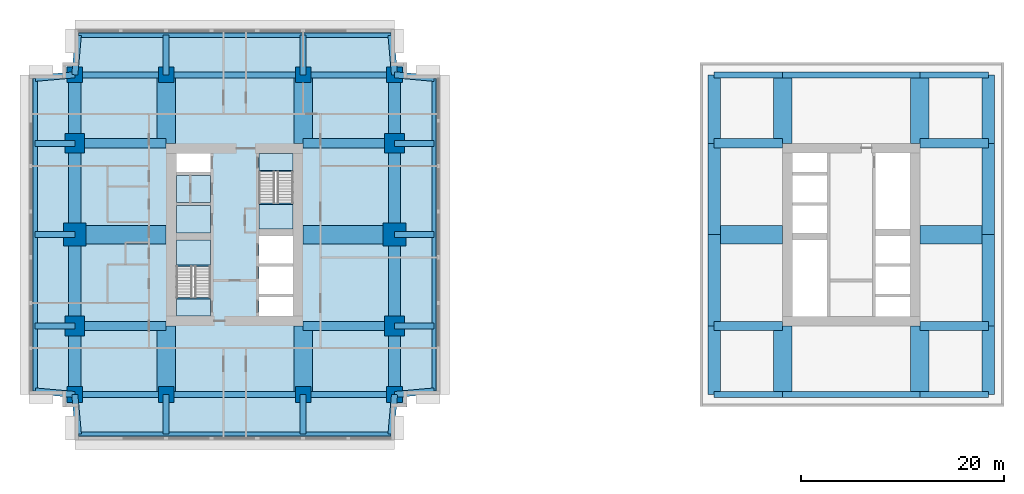
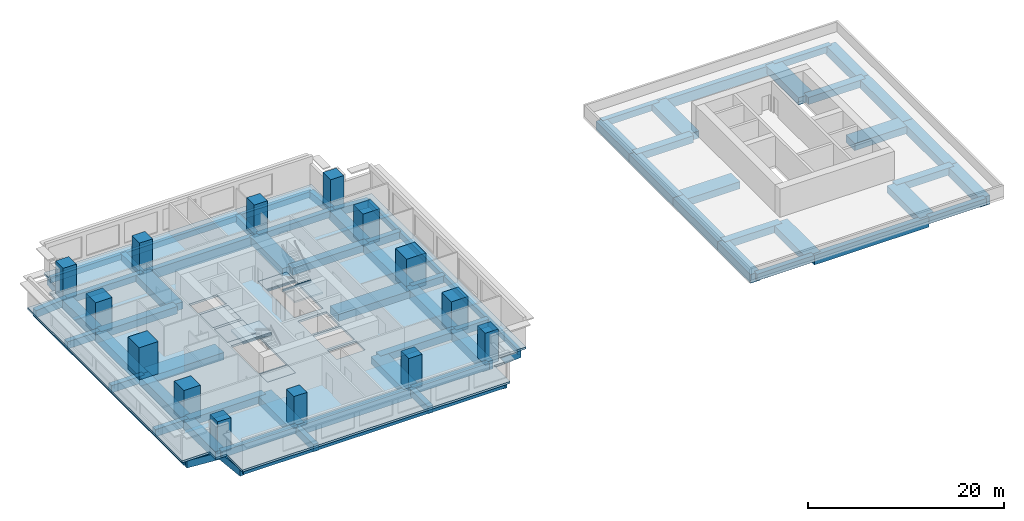
# One storey, part 1 of 7: 74 beams, 14 columns, 7 slabs, 2 elements without a shape of their own.
"""IFC4 building model written with IfcOpenShell, lengths in metres."""

from ifc_helpers import new_model, si_unit, direction, frame, origin, origin_2d, place, context, subcontext, project, spatial, polyline, rectangle, i_section, outline, extrude, material, layer, layer_set, material_profile, profile_set, type_object, element, aggregate, save


model = new_model("IFC4")

# Units and contexts
model_context = context("Model", 3, precision=1e-05, world=origin(), true_north=direction((0.0, 1.0)))
body_context = subcontext(model_context, "Body", "Model", "MODEL_VIEW")
ifc_project = project(units=[si_unit("LENGTHUNIT", "METRE"), si_unit("AREAUNIT", "SQUARE_METRE"), si_unit("VOLUMEUNIT", "CUBIC_METRE"), si_unit("PLANEANGLEUNIT", "RADIAN"), si_unit("MASSUNIT", "GRAM", prefix="KILO")], contexts=[model_context])

# Site, building, storey
site_placement = place(None, origin())
site = spatial("IfcSite", under=ifc_project, at=site_placement, CompositionType="ELEMENT")
building_placement = place(site_placement, origin())
building = spatial("IfcBuilding", under=site, at=building_placement, Name="Namib Vertical Campus", CompositionType="ELEMENT")
storey_placement = place(building_placement, frame((0.0, 0.0, 237.0)))
storey = spatial("IfcBuildingStorey", under=building, at=storey_placement, Name="L56", CompositionType="ELEMENT", Elevation=237.0)

# Columns
ifc_material_1 = material(Name="Concrete C60/75", Category="concrete")
ifc_material_profile_1 = material_profile(ifc_material_1, rectangle(XDim=1.550048828125, YDim=1.550048828125, at=origin_2d()))
ifc_profile_set_1 = profile_set([ifc_material_profile_1], Name="Concrete C60/75")
column_type_1 = type_object("IfcColumnType", Name="Column RC 1550x1550", PredefinedType="COLUMN", material=ifc_profile_set_1)
for number, where, z_axis, x_axis, name in (
    (1, (4.5, 4.5, 0.0), (0.0, 0.0, 1.0), (1.0, 0.0, 0.0), "Column C155 L56"),
    (2, (13.5, 4.5, 0.0), (0.0, 0.0, 1.0), (1.0, 0.0, 0.0), "Column C155 L56"),
    (3, (27.0, 4.5, 0.0), (0.0, 0.0, 1.0), (1.0, 0.0, 0.0), "Column C155 L56"),
    (4, (36.0, 4.5, 0.0), (0.0, 0.0, 1.0), (1.0, 0.0, 0.0), "Column C155 L56"),
    (5, (4.5, 36.0, 0.0), (0.0, 0.0, 1.0), (1.0, 0.0, 0.0), "Column C155 L56"),
    (6, (13.5, 36.0, 0.0), (0.0, 0.0, 1.0), (1.0, 0.0, 0.0), "Column C155 L56"),
    (7, (27.0, 36.0, 0.0), (0.0, 0.0, 1.0), (1.0, 0.0, 0.0), "Column C155 L56"),
    (8, (36.0, 36.0, 0.0), (0.0, 0.0, 1.0), (1.0, 0.0, 0.0), "Column C155 L56"),
):
    element("IfcColumn", number, at=place(storey_placement, frame(where, z_axis=z_axis, x_axis=x_axis)), inside=storey, type_object=column_type_1, Name=name, PredefinedType="COLUMN", context=body_context, shape_type="SweptSolid", body=[
        extrude(rectangle(XDim=1.550048828125, YDim=1.550048828125, at=origin_2d()), origin(), (0.0, 0.0, 1.0), 4.0),
    ])
ifc_material_2 = material(Name="Concrete C60/75", Category="concrete")
ifc_material_profile_2 = material_profile(ifc_material_2, rectangle(XDim=1.949951171875, YDim=1.949951171875, at=origin_2d()))
ifc_profile_set_2 = profile_set([ifc_material_profile_2], Name="Concrete C60/75")
column_type_2 = type_object("IfcColumnType", Name="Column RC 1950x1950", PredefinedType="COLUMN", material=ifc_profile_set_2)
for number, where, z_axis, x_axis, name in (
    (9, (4.5, 11.25, 0.0), (0.0, 0.0, 1.0), (1.0, 0.0, 0.0), "Column C195 L56"),
    (10, (36.0, 11.25, 0.0), (0.0, 0.0, 1.0), (1.0, 0.0, 0.0), "Column C195 L56"),
    (11, (4.5, 29.25, 0.0), (0.0, 0.0, 1.0), (1.0, 0.0, 0.0), "Column C195 L56"),
    (12, (36.0, 29.25, 0.0), (0.0, 0.0, 1.0), (1.0, 0.0, 0.0), "Column C195 L56"),
):
    element("IfcColumn", number, at=place(storey_placement, frame(where, z_axis=z_axis, x_axis=x_axis)), inside=storey, type_object=column_type_2, Name=name, PredefinedType="COLUMN", context=body_context, shape_type="SweptSolid", body=[
        extrude(rectangle(XDim=1.949951171875, YDim=1.949951171875, at=origin_2d()), origin(), (0.0, 0.0, 1.0), 4.0),
    ])
ifc_material_3 = material(Name="Concrete C60/75", Category="concrete")
ifc_material_profile_3 = material_profile(ifc_material_3, rectangle(XDim=2.25, YDim=2.25, at=origin_2d()))
ifc_profile_set_3 = profile_set([ifc_material_profile_3], Name="Concrete C60/75")
column_type_3 = type_object("IfcColumnType", Name="Column RC 2250x2250", PredefinedType="COLUMN", material=ifc_profile_set_3)
for number, where, z_axis, x_axis, name in (
    (13, (4.5, 20.25, 0.0), (0.0, 0.0, 1.0), (1.0, 0.0, 0.0), "Column C225 L56"),
    (14, (36.0, 20.25, 0.0), (0.0, 0.0, 1.0), (1.0, 0.0, 0.0), "Column C225 L56"),
):
    element("IfcColumn", number, at=place(storey_placement, frame(where, z_axis=z_axis, x_axis=x_axis)), inside=storey, type_object=column_type_3, Name=name, PredefinedType="COLUMN", context=body_context, shape_type="SweptSolid", body=[
        extrude(rectangle(XDim=2.25, YDim=2.25, at=origin_2d()), origin(), (0.0, 0.0, 1.0), 4.0),
    ])

# Beams
ifc_material_4 = material(Name="Concrete C40/50", Category="concrete")
ifc_material_profile_4 = material_profile(ifc_material_4, rectangle(XDim=0.60009765625, YDim=0.89990234375, at=origin_2d()))
ifc_profile_set_4 = profile_set([ifc_material_profile_4], Name="Concrete C40/50")
beam_type_1 = type_object("IfcBeamType", Name="Cantilever girder RC 600x900", PredefinedType="BEAM", material=ifc_profile_set_4)
beam_1_placement = place(storey_placement, frame((4.5, 4.5, -0.699951171875), z_axis=(0.089411326146, -0.995994786511, 0.0), x_axis=(0.995994786511, 0.089411326146, 0.0)))
element("IfcBeam", 15, at=beam_1_placement, inside=storey, type_object=beam_type_1, Name="Beam B3 L56", PredefinedType="BEAM", context=body_context, shape_type="SweptSolid", body=[
    extrude(rectangle(XDim=0.60009765625, YDim=0.89990234375, at=origin_2d()), origin(), (0.0, 0.0, 1.0), 3.91552734375),
])
for number, where, z_axis, x_axis, name in (
    (16, (13.5, 4.5, -0.699951171875), (0.0, -1.0, 0.0), (1.0, 0.0, 0.0), "Beam B3 L56"),
    (17, (27.0, 4.5, -0.699951171875), (0.0, -1.0, 0.0), (1.0, 0.0, 0.0), "Beam B3 L56"),
):
    element("IfcBeam", number, at=place(storey_placement, frame(where, z_axis=z_axis, x_axis=x_axis)), inside=storey, type_object=beam_type_1, Name=name, PredefinedType="BEAM", context=body_context, shape_type="SweptSolid", body=[
        extrude(rectangle(XDim=0.60009765625, YDim=0.89990234375, at=origin_2d()), origin(), (0.0, 0.0, 1.0), 3.89990234375),
    ])
for number, where, z_axis, x_axis, name in (
    (18, (36.0, 4.5, -0.699951171875), (-0.089411326146, -0.995994786511, 0.0), (0.995994786511, -0.089411326146, 0.0), "Beam B3 L56"),
    (19, (4.5, 36.0, -0.699951171875), (0.089411326146, 0.995994786511, 0.0), (-0.995994786511, 0.089411326146, 0.0), "Beam B3 L56"),
):
    element("IfcBeam", number, at=place(storey_placement, frame(where, z_axis=z_axis, x_axis=x_axis)), inside=storey, type_object=beam_type_1, Name=name, PredefinedType="BEAM", context=body_context, shape_type="SweptSolid", body=[
        extrude(rectangle(XDim=0.60009765625, YDim=0.89990234375, at=origin_2d()), origin(), (0.0, 0.0, 1.0), 3.91552734375),
    ])
for number, where, z_axis, x_axis, name in (
    (20, (13.5, 36.0, -0.699951171875), (0.0, 1.0, 0.0), (-1.0, 0.0, 0.0), "Beam B3 L56"),
    (21, (27.0, 36.0, -0.699951171875), (0.0, 1.0, 0.0), (-1.0, 0.0, 0.0), "Beam B3 L56"),
):
    element("IfcBeam", number, at=place(storey_placement, frame(where, z_axis=z_axis, x_axis=x_axis)), inside=storey, type_object=beam_type_1, Name=name, PredefinedType="BEAM", context=body_context, shape_type="SweptSolid", body=[
        extrude(rectangle(XDim=0.60009765625, YDim=0.89990234375, at=origin_2d()), origin(), (0.0, 0.0, 1.0), 3.89990234375),
    ])
for number, where, z_axis, x_axis, name in (
    (22, (36.0, 36.0, -0.699951171875), (-0.089411326146, 0.995994786511, 0.0), (-0.995994786511, -0.089411326146, 0.0), "Beam B3 L56"),
    (23, (4.5, 4.5, -0.699951171875), (-0.995994786511, 0.089411326146, 0.0), (-0.089411326146, -0.995994786511, 0.0), "Beam B3 L56"),
):
    element("IfcBeam", number, at=place(storey_placement, frame(where, z_axis=z_axis, x_axis=x_axis)), inside=storey, type_object=beam_type_1, Name=name, PredefinedType="BEAM", context=body_context, shape_type="SweptSolid", body=[
        extrude(rectangle(XDim=0.60009765625, YDim=0.89990234375, at=origin_2d()), origin(), (0.0, 0.0, 1.0), 3.91552734375),
    ])
for number, where, z_axis, x_axis, name in (
    (24, (4.5, 11.25, -0.699951171875), (-1.0, 0.0, 0.0), (0.0, -1.0, 0.0), "Beam B3 L56"),
    (25, (4.5, 20.25, -0.699951171875), (-1.0, 0.0, 0.0), (0.0, -1.0, 0.0), "Beam B3 L56"),
    (26, (4.5, 29.25, -0.699951171875), (-1.0, 0.0, 0.0), (0.0, -1.0, 0.0), "Beam B3 L56"),
):
    element("IfcBeam", number, at=place(storey_placement, frame(where, z_axis=z_axis, x_axis=x_axis)), inside=storey, type_object=beam_type_1, Name=name, PredefinedType="BEAM", context=body_context, shape_type="SweptSolid", body=[
        extrude(rectangle(XDim=0.60009765625, YDim=0.89990234375, at=origin_2d()), origin(), (0.0, 0.0, 1.0), 3.89990234375),
    ])
for number, where, z_axis, x_axis, name in (
    (27, (4.5, 36.0, -0.699951171875), (-0.995994786511, -0.089411326146, 0.0), (0.089411326146, -0.995994786511, 0.0), "Beam B3 L56"),
    (28, (36.0, 4.5, -0.699951171875), (0.995994786511, 0.089411326146, 0.0), (-0.089411326146, 0.995994786511, 0.0), "Beam B3 L56"),
):
    element("IfcBeam", number, at=place(storey_placement, frame(where, z_axis=z_axis, x_axis=x_axis)), inside=storey, type_object=beam_type_1, Name=name, PredefinedType="BEAM", context=body_context, shape_type="SweptSolid", body=[
        extrude(rectangle(XDim=0.60009765625, YDim=0.89990234375, at=origin_2d()), origin(), (0.0, 0.0, 1.0), 3.91552734375),
    ])
for number, where, z_axis, x_axis, name in (
    (29, (36.0, 11.25, -0.699951171875), (1.0, 0.0, 0.0), (0.0, 1.0, 0.0), "Beam B3 L56"),
    (30, (36.0, 20.25, -0.699951171875), (1.0, 0.0, 0.0), (0.0, 1.0, 0.0), "Beam B3 L56"),
    (31, (36.0, 29.25, -0.699951171875), (1.0, 0.0, 0.0), (0.0, 1.0, 0.0), "Beam B3 L56"),
):
    element("IfcBeam", number, at=place(storey_placement, frame(where, z_axis=z_axis, x_axis=x_axis)), inside=storey, type_object=beam_type_1, Name=name, PredefinedType="BEAM", context=body_context, shape_type="SweptSolid", body=[
        extrude(rectangle(XDim=0.60009765625, YDim=0.89990234375, at=origin_2d()), origin(), (0.0, 0.0, 1.0), 3.89990234375),
    ])
beam_2_placement = place(storey_placement, frame((36.0, 36.0, -0.699951171875), z_axis=(0.995994786511, -0.089411326146, 0.0), x_axis=(0.089411326146, 0.995994786511, 0.0)))
element("IfcBeam", 32, at=beam_2_placement, inside=storey, type_object=beam_type_1, Name="Beam B3 L56", PredefinedType="BEAM", context=body_context, shape_type="SweptSolid", body=[
    extrude(rectangle(XDim=0.60009765625, YDim=0.89990234375, at=origin_2d()), origin(), (0.0, 0.0, 1.0), 3.91552734375),
])
ifc_material_5 = material(Name="Concrete C40/50", Category="concrete")
ifc_material_profile_5 = material_profile(ifc_material_5, rectangle(XDim=0.39990234375, YDim=0.699951171875, at=origin_2d()))
ifc_profile_set_5 = profile_set([ifc_material_profile_5], Name="Concrete C40/50")
beam_type_2 = type_object("IfcBeamType", Name="Edge beam RC 400x700", PredefinedType="SPANDREL", material=ifc_profile_set_5)
for number, where, z_axis, x_axis, name in (
    (33, (4.85009765625, 0.60009765625, -0.60009765625), (1.0, 0.0, 0.0), (0.0, 1.0, 0.0), "Beam B4 L56"),
    (34, (4.85009765625, 39.89990234375, -0.60009765625), (1.0, 0.0, 0.0), (0.0, 1.0, 0.0), "Beam B4 L56"),
    (35, (0.60009765625, 4.85009765625, -0.60009765625), (0.0, 1.0, 0.0), (-1.0, 0.0, 0.0), "Beam B4 L56"),
    (36, (39.89990234375, 4.85009765625, -0.60009765625), (0.0, 1.0, 0.0), (-1.0, 0.0, 0.0), "Beam B4 L56"),
):
    element("IfcBeam", number, at=place(storey_placement, frame(where, z_axis=z_axis, x_axis=x_axis)), inside=storey, type_object=beam_type_2, Name=name, PredefinedType="SPANDREL", context=body_context, shape_type="SweptSolid", body=[
        extrude(rectangle(XDim=0.39990234375, YDim=0.699951171875, at=origin_2d()), origin(), (0.0, 0.0, 1.0), 30.7998046875),
    ])
ifc_material_6 = material(Name="Concrete C40/50", Category="concrete")
ifc_material_profile_6 = material_profile(ifc_material_6, rectangle(XDim=0.89990234375, YDim=0.89990234375, at=origin_2d()))
ifc_profile_set_6 = profile_set([ifc_material_profile_6], Name="Concrete C40/50")
beam_type_3 = type_object("IfcBeamType", Name="Face girder RC 900x900", PredefinedType="BEAM", material=ifc_profile_set_6)
for number, where, z_axis, x_axis, name in (
    (37, (4.5, 11.25, -0.699951171875), (1.0, 0.0, 0.0), (0.0, 1.0, 0.0), "Beam B10 L56"),
    (38, (36.0, 11.25, -0.699951171875), (-1.0, 0.0, 0.0), (0.0, -1.0, 0.0), "Beam B10 L56"),
    (39, (4.5, 29.25, -0.699951171875), (1.0, 0.0, 0.0), (0.0, 1.0, 0.0), "Beam B10 L56"),
    (40, (36.0, 29.25, -0.699951171875), (-1.0, 0.0, 0.0), (0.0, -1.0, 0.0), "Beam B10 L56"),
):
    element("IfcBeam", number, at=place(storey_placement, frame(where, z_axis=z_axis, x_axis=x_axis)), inside=storey, type_object=beam_type_3, Name=name, PredefinedType="BEAM", context=body_context, shape_type="SweptSolid", body=[
        extrude(rectangle(XDim=0.89990234375, YDim=0.89990234375, at=origin_2d()), origin(), (0.0, 0.0, 1.0), 9.0),
    ])
for number, where, z_axis, x_axis, name in (
    (41, (67.5, 11.25, -0.699951171875), (1.0, 0.0, 0.0), (0.0, 1.0, 0.0), "Beam B10 L56"),
    (42, (94.5, 11.25, -0.699951171875), (-1.0, 0.0, 0.0), (0.0, -1.0, 0.0), "Beam B10 L56"),
    (43, (67.5, 29.25, -0.699951171875), (1.0, 0.0, 0.0), (0.0, 1.0, 0.0), "Beam B10 L56"),
    (44, (94.5, 29.25, -0.699951171875), (-1.0, 0.0, 0.0), (0.0, -1.0, 0.0), "Beam B10 L56"),
):
    element("IfcBeam", number, at=place(storey_placement, frame(where, z_axis=z_axis, x_axis=x_axis)), inside=storey, type_object=beam_type_3, Name=name, PredefinedType="BEAM", context=body_context, shape_type="SweptSolid", body=[
        extrude(rectangle(XDim=0.89990234375, YDim=0.89990234375, at=origin_2d()), origin(), (0.0, 0.0, 1.0), 6.75),
    ])
ifc_material_7 = material(Name="Concrete C40/50", Category="concrete")
ifc_material_profile_7 = material_profile(ifc_material_7, rectangle(XDim=1.199951171875, YDim=1.10009765625, at=origin_2d()))
ifc_profile_set_7 = profile_set([ifc_material_profile_7], Name="Concrete C40/50")
beam_type_4 = type_object("IfcBeamType", Name="Face ring beam RC 1200x1100", PredefinedType="BEAM", material=ifc_profile_set_7)
beam_3_placement = place(storey_placement, frame((4.5, 4.5, -0.800048828125), z_axis=(0.0, 1.0, 0.0), x_axis=(-1.0, 0.0, 0.0)))
element("IfcBeam", 45, at=beam_3_placement, inside=storey, type_object=beam_type_4, Name="Beam B11 L56", PredefinedType="BEAM", context=body_context, shape_type="SweptSolid", body=[
    extrude(rectangle(XDim=1.199951171875, YDim=1.10009765625, at=origin_2d()), origin(), (0.0, 0.0, 1.0), 6.75),
])
for number, where, z_axis, x_axis, name in (
    (46, (4.5, 11.25, -0.800048828125), (0.0, 1.0, 0.0), (-1.0, 0.0, 0.0), "Beam B11 L56"),
    (47, (4.5, 20.25, -0.800048828125), (0.0, 1.0, 0.0), (-1.0, 0.0, 0.0), "Beam B11 L56"),
):
    element("IfcBeam", number, at=place(storey_placement, frame(where, z_axis=z_axis, x_axis=x_axis)), inside=storey, type_object=beam_type_4, Name=name, PredefinedType="BEAM", context=body_context, shape_type="SweptSolid", body=[
        extrude(rectangle(XDim=1.199951171875, YDim=1.10009765625, at=origin_2d()), origin(), (0.0, 0.0, 1.0), 9.0),
    ])
for number, where, z_axis, x_axis, name in (
    (48, (4.5, 29.25, -0.800048828125), (0.0, 1.0, 0.0), (-1.0, 0.0, 0.0), "Beam B11 L56"),
    (49, (36.0, 4.5, -0.800048828125), (0.0, 1.0, 0.0), (-1.0, 0.0, 0.0), "Beam B11 L56"),
):
    element("IfcBeam", number, at=place(storey_placement, frame(where, z_axis=z_axis, x_axis=x_axis)), inside=storey, type_object=beam_type_4, Name=name, PredefinedType="BEAM", context=body_context, shape_type="SweptSolid", body=[
        extrude(rectangle(XDim=1.199951171875, YDim=1.10009765625, at=origin_2d()), origin(), (0.0, 0.0, 1.0), 6.75),
    ])
for number, where, z_axis, x_axis, name in (
    (50, (36.0, 11.25, -0.800048828125), (0.0, 1.0, 0.0), (-1.0, 0.0, 0.0), "Beam B11 L56"),
    (51, (36.0, 20.25, -0.800048828125), (0.0, 1.0, 0.0), (-1.0, 0.0, 0.0), "Beam B11 L56"),
):
    element("IfcBeam", number, at=place(storey_placement, frame(where, z_axis=z_axis, x_axis=x_axis)), inside=storey, type_object=beam_type_4, Name=name, PredefinedType="BEAM", context=body_context, shape_type="SweptSolid", body=[
        extrude(rectangle(XDim=1.199951171875, YDim=1.10009765625, at=origin_2d()), origin(), (0.0, 0.0, 1.0), 9.0),
    ])
for number, where, z_axis, x_axis, name in (
    (52, (36.0, 29.25, -0.800048828125), (0.0, 1.0, 0.0), (-1.0, 0.0, 0.0), "Beam B11 L56"),
    (53, (67.5, 4.5, -0.800048828125), (0.0, 1.0, 0.0), (-1.0, 0.0, 0.0), "Beam B11 L56"),
):
    element("IfcBeam", number, at=place(storey_placement, frame(where, z_axis=z_axis, x_axis=x_axis)), inside=storey, type_object=beam_type_4, Name=name, PredefinedType="BEAM", context=body_context, shape_type="SweptSolid", body=[
        extrude(rectangle(XDim=1.199951171875, YDim=1.10009765625, at=origin_2d()), origin(), (0.0, 0.0, 1.0), 6.75),
    ])
for number, where, z_axis, x_axis, name in (
    (54, (67.5, 11.25, -0.800048828125), (0.0, 1.0, 0.0), (-1.0, 0.0, 0.0), "Beam B11 L56"),
    (55, (67.5, 20.25, -0.800048828125), (0.0, 1.0, 0.0), (-1.0, 0.0, 0.0), "Beam B11 L56"),
):
    element("IfcBeam", number, at=place(storey_placement, frame(where, z_axis=z_axis, x_axis=x_axis)), inside=storey, type_object=beam_type_4, Name=name, PredefinedType="BEAM", context=body_context, shape_type="SweptSolid", body=[
        extrude(rectangle(XDim=1.199951171875, YDim=1.10009765625, at=origin_2d()), origin(), (0.0, 0.0, 1.0), 9.0),
    ])
for number, where, z_axis, x_axis, name in (
    (56, (67.5, 29.25, -0.800048828125), (0.0, 1.0, 0.0), (-1.0, 0.0, 0.0), "Beam B11 L56"),
    (57, (94.5, 4.5, -0.800048828125), (0.0, 1.0, 0.0), (-1.0, 0.0, 0.0), "Beam B11 L56"),
):
    element("IfcBeam", number, at=place(storey_placement, frame(where, z_axis=z_axis, x_axis=x_axis)), inside=storey, type_object=beam_type_4, Name=name, PredefinedType="BEAM", context=body_context, shape_type="SweptSolid", body=[
        extrude(rectangle(XDim=1.199951171875, YDim=1.10009765625, at=origin_2d()), origin(), (0.0, 0.0, 1.0), 6.75),
    ])
for number, where, z_axis, x_axis, name in (
    (58, (94.5, 11.25, -0.800048828125), (0.0, 1.0, 0.0), (-1.0, 0.0, 0.0), "Beam B11 L56"),
    (59, (94.5, 20.25, -0.800048828125), (0.0, 1.0, 0.0), (-1.0, 0.0, 0.0), "Beam B11 L56"),
):
    element("IfcBeam", number, at=place(storey_placement, frame(where, z_axis=z_axis, x_axis=x_axis)), inside=storey, type_object=beam_type_4, Name=name, PredefinedType="BEAM", context=body_context, shape_type="SweptSolid", body=[
        extrude(rectangle(XDim=1.199951171875, YDim=1.10009765625, at=origin_2d()), origin(), (0.0, 0.0, 1.0), 9.0),
    ])
beam_4_placement = place(storey_placement, frame((94.5, 29.25, -0.800048828125), z_axis=(0.0, 1.0, 0.0), x_axis=(-1.0, 0.0, 0.0)))
element("IfcBeam", 60, at=beam_4_placement, inside=storey, type_object=beam_type_4, Name="Beam B11 L56", PredefinedType="BEAM", context=body_context, shape_type="SweptSolid", body=[
    extrude(rectangle(XDim=1.199951171875, YDim=1.10009765625, at=origin_2d()), origin(), (0.0, 0.0, 1.0), 6.75),
])
ifc_material_8 = material(Name="Steel S355JR", Category="steel")
ifc_material_profile_8 = material_profile(ifc_material_8, i_section(OverallWidth=0.14599609375, OverallDepth=0.25146484375, WebThickness=0.006103515625, FlangeThickness=0.008544921875, FilletRadius=0.007568359375, at=origin_2d()))
ifc_profile_set_8 = profile_set([ifc_material_profile_8], Name="Steel S355JR")
beam_type_5 = type_object("IfcBeamType", Name="Landing trimmer UB 254x146x31", PredefinedType="BEAM", material=ifc_profile_set_8)
for number, where, z_axis, x_axis, name in (
    (61, (14.5, 13.97705078125, -0.125732421875), (1.0, 0.0, 0.0), (0.0, 1.0, 0.0), "Landing trimmer LT1 A-S1 L56 1"),
    (62, (14.5, 17.203125, 1.874267578125), (1.0, 0.0, 0.0), (0.0, 1.0, 0.0), "Landing trimmer LT1 A-S1 L56 2"),
    (63, (22.64990234375, 26.52294921875, -0.125732421875), (1.0, 0.0, 0.0), (0.0, 1.0, 0.0), "Landing trimmer LT1 A-S2 L56 1"),
    (64, (22.64990234375, 23.296875, 1.874267578125), (1.0, 0.0, 0.0), (0.0, 1.0, 0.0), "Landing trimmer LT1 A-S2 L56 2"),
):
    element("IfcBeam", number, at=place(storey_placement, frame(where, z_axis=z_axis, x_axis=x_axis)), inside=storey, type_object=beam_type_5, Name=name, PredefinedType="BEAM", context=body_context, shape_type="SweptSolid", body=[
        extrude(i_section(OverallWidth=0.14599609375, OverallDepth=0.25146484375, WebThickness=0.006103515625, FlangeThickness=0.008544921875, FilletRadius=0.007568359375, at=origin_2d()), origin(), (0.0, 0.0, 1.0), 3.35009765625),
    ])
ifc_material_9 = material(Name="Concrete C40/50", Category="concrete")
ifc_material_profile_9 = material_profile(ifc_material_9, rectangle(XDim=0.60009765625, YDim=1.199951171875, at=origin_2d()))
ifc_profile_set_9 = profile_set([ifc_material_profile_9], Name="Concrete C40/50")
beam_type_6 = type_object("IfcBeamType", Name="Long-span ring beam RC 600x1200", PredefinedType="BEAM", material=ifc_profile_set_9)
for number, where, z_axis, x_axis, name in (
    (65, (13.5, 4.5, -0.85009765625), (1.0, 0.0, 0.0), (0.0, 1.0, 0.0), "Beam B9 L56"),
    (66, (13.5, 36.0, -0.85009765625), (1.0, 0.0, 0.0), (0.0, 1.0, 0.0), "Beam B9 L56"),
    (67, (74.25, 4.5, -0.85009765625), (1.0, 0.0, 0.0), (0.0, 1.0, 0.0), "Beam B9 L56"),
    (68, (74.25, 36.0, -0.85009765625), (1.0, 0.0, 0.0), (0.0, 1.0, 0.0), "Beam B9 L56"),
):
    element("IfcBeam", number, at=place(storey_placement, frame(where, z_axis=z_axis, x_axis=x_axis)), inside=storey, type_object=beam_type_6, Name=name, PredefinedType="BEAM", context=body_context, shape_type="SweptSolid", body=[
        extrude(rectangle(XDim=0.60009765625, YDim=1.199951171875, at=origin_2d()), origin(), (0.0, 0.0, 1.0), 13.5),
    ])
ifc_material_10 = material(Name="Concrete C40/50", Category="concrete")
ifc_material_profile_10 = material_profile(ifc_material_10, rectangle(XDim=1.800048828125, YDim=0.89990234375, at=origin_2d()))
ifc_profile_set_10 = profile_set([ifc_material_profile_10], Name="Concrete C40/50")
beam_type_7 = type_object("IfcBeamType", Name="Outrigger line girder RC 1800x900", PredefinedType="BEAM", material=ifc_profile_set_10)
for number, where, z_axis, x_axis, name in (
    (69, (13.5, 4.5, -0.699951171875), (0.0, 1.0, 0.0), (-1.0, 0.0, 0.0), "Beam B12 L56"),
    (70, (13.5, 36.0, -0.699951171875), (0.0, -1.0, 0.0), (1.0, 0.0, 0.0), "Beam B12 L56"),
    (71, (27.0, 4.5, -0.699951171875), (0.0, 1.0, 0.0), (-1.0, 0.0, 0.0), "Beam B12 L56"),
    (72, (27.0, 36.0, -0.699951171875), (0.0, -1.0, 0.0), (1.0, 0.0, 0.0), "Beam B12 L56"),
):
    element("IfcBeam", number, at=place(storey_placement, frame(where, z_axis=z_axis, x_axis=x_axis)), inside=storey, type_object=beam_type_7, Name=name, PredefinedType="BEAM", context=body_context, shape_type="SweptSolid", body=[
        extrude(rectangle(XDim=1.800048828125, YDim=0.89990234375, at=origin_2d()), origin(), (0.0, 0.0, 1.0), 6.75),
    ])
for number, where, z_axis, x_axis, name in (
    (73, (4.5, 20.25, -0.699951171875), (1.0, 0.0, 0.0), (0.0, 1.0, 0.0), "Beam B12 L56"),
    (74, (36.0, 20.25, -0.699951171875), (-1.0, 0.0, 0.0), (0.0, -1.0, 0.0), "Beam B12 L56"),
):
    element("IfcBeam", number, at=place(storey_placement, frame(where, z_axis=z_axis, x_axis=x_axis)), inside=storey, type_object=beam_type_7, Name=name, PredefinedType="BEAM", context=body_context, shape_type="SweptSolid", body=[
        extrude(rectangle(XDim=1.800048828125, YDim=0.89990234375, at=origin_2d()), origin(), (0.0, 0.0, 1.0), 9.0),
    ])
for number, where, z_axis, x_axis, name in (
    (75, (74.25, 4.5, -0.699951171875), (0.0, 1.0, 0.0), (-1.0, 0.0, 0.0), "Beam B12 L56"),
    (76, (74.25, 36.0, -0.699951171875), (0.0, -1.0, 0.0), (1.0, 0.0, 0.0), "Beam B12 L56"),
    (77, (87.75, 4.5, -0.699951171875), (0.0, 1.0, 0.0), (-1.0, 0.0, 0.0), "Beam B12 L56"),
    (78, (87.75, 36.0, -0.699951171875), (0.0, -1.0, 0.0), (1.0, 0.0, 0.0), "Beam B12 L56"),
    (79, (67.5, 20.25, -0.699951171875), (1.0, 0.0, 0.0), (0.0, 1.0, 0.0), "Beam B12 L56"),
    (80, (94.5, 20.25, -0.699951171875), (-1.0, 0.0, 0.0), (0.0, -1.0, 0.0), "Beam B12 L56"),
):
    element("IfcBeam", number, at=place(storey_placement, frame(where, z_axis=z_axis, x_axis=x_axis)), inside=storey, type_object=beam_type_7, Name=name, PredefinedType="BEAM", context=body_context, shape_type="SweptSolid", body=[
        extrude(rectangle(XDim=1.800048828125, YDim=0.89990234375, at=origin_2d()), origin(), (0.0, 0.0, 1.0), 6.75),
    ])
ifc_material_11 = material(Name="Concrete C40/50", Category="concrete")
ifc_material_profile_11 = material_profile(ifc_material_11, rectangle(XDim=0.60009765625, YDim=0.800048828125, at=origin_2d()))
ifc_profile_set_11 = profile_set([ifc_material_profile_11], Name="Concrete C40/50")
beam_type_8 = type_object("IfcBeamType", Name="Ring beam RC 600x800", PredefinedType="BEAM", material=ifc_profile_set_11)
for number, where, z_axis, x_axis, name in (
    (81, (4.5, 4.5, -0.64990234375), (1.0, 0.0, 0.0), (0.0, 1.0, 0.0), "Beam B1 L56"),
    (82, (27.0, 4.5, -0.64990234375), (1.0, 0.0, 0.0), (0.0, 1.0, 0.0), "Beam B1 L56"),
    (83, (4.5, 36.0, -0.64990234375), (1.0, 0.0, 0.0), (0.0, 1.0, 0.0), "Beam B1 L56"),
    (84, (27.0, 36.0, -0.64990234375), (1.0, 0.0, 0.0), (0.0, 1.0, 0.0), "Beam B1 L56"),
):
    element("IfcBeam", number, at=place(storey_placement, frame(where, z_axis=z_axis, x_axis=x_axis)), inside=storey, type_object=beam_type_8, Name=name, PredefinedType="BEAM", context=body_context, shape_type="SweptSolid", body=[
        extrude(rectangle(XDim=0.60009765625, YDim=0.800048828125, at=origin_2d()), origin(), (0.0, 0.0, 1.0), 9.0),
    ])
for number, where, z_axis, x_axis, name in (
    (85, (67.5, 4.5, -0.64990234375), (1.0, 0.0, 0.0), (0.0, 1.0, 0.0), "Beam B1 L56"),
    (86, (87.75, 4.5, -0.64990234375), (1.0, 0.0, 0.0), (0.0, 1.0, 0.0), "Beam B1 L56"),
    (87, (67.5, 36.0, -0.64990234375), (1.0, 0.0, 0.0), (0.0, 1.0, 0.0), "Beam B1 L56"),
    (88, (87.75, 36.0, -0.64990234375), (1.0, 0.0, 0.0), (0.0, 1.0, 0.0), "Beam B1 L56"),
):
    element("IfcBeam", number, at=place(storey_placement, frame(where, z_axis=z_axis, x_axis=x_axis)), inside=storey, type_object=beam_type_8, Name=name, PredefinedType="BEAM", context=body_context, shape_type="SweptSolid", body=[
        extrude(rectangle(XDim=0.60009765625, YDim=0.800048828125, at=origin_2d()), origin(), (0.0, 0.0, 1.0), 6.75),
    ])

# Slabs
ifc_material_12 = material(Name="Concrete C40/50", Category="concrete")
ifc_layer_1 = layer(ifc_material_12, 0.25)
ifc_layer_set_1 = layer_set([ifc_layer_1], Name="Concrete C40/50")
slab_type_1 = type_object("IfcSlabType", Name="Floor slab 250", PredefinedType="FLOOR", material=ifc_layer_set_1)
slab_1_placement = place(storey_placement, frame((0.0, 0.0, -0.25)))
element("IfcSlab", 89, at=slab_1_placement, inside=storey, type_object=slab_type_1, Name="Floor slab A L56", PredefinedType="FLOOR", context=body_context, shape_type="SweptSolid", body=[
    extrude(outline(polyline([(4.5, 0.0), (36.0, 0.0), (36.0, 3.27490234375), (37.22509765625, 3.27490234375), (37.22509765625, 4.5), (40.5, 4.5), (40.5, 36.0), (37.22509765625, 36.0), (37.22509765625, 37.22509765625), (36.0, 37.22509765625), (36.0, 40.5), (4.5, 40.5), (4.5, 37.22509765625), (3.27490234375, 37.22509765625), (3.27490234375, 36.0), (0.0, 36.0), (0.0, 4.5), (3.27490234375, 4.5), (3.27490234375, 3.27490234375), (4.5, 3.27490234375), (4.5, 0.0)]), holes=[polyline([(14.5, 12.25), (17.85009765625, 12.25), (17.85009765625, 19.699951171875), (14.5, 19.699951171875), (14.5, 12.25)]), polyline([(22.64990234375, 20.800048828125), (26.0, 20.800048828125), (26.0, 28.25), (22.64990234375, 28.25), (22.64990234375, 20.800048828125)]), polyline([(22.64990234375, 12.25), (26.0, 12.25), (26.0, 14.10009765625), (22.64990234375, 14.10009765625), (22.64990234375, 12.25)]), polyline([(14.5, 20.39990234375), (17.85009765625, 20.39990234375), (17.85009765625, 23.10009765625), (14.5, 23.10009765625), (14.5, 20.39990234375)]), polyline([(14.5, 23.39990234375), (17.85009765625, 23.39990234375), (17.85009765625, 26.10009765625), (14.5, 26.10009765625), (14.5, 23.39990234375)]), polyline([(14.5, 26.39990234375), (17.85009765625, 26.39990234375), (17.85009765625, 28.25), (14.5, 28.25), (14.5, 26.39990234375)]), polyline([(22.64990234375, 14.39990234375), (26.0, 14.39990234375), (26.0, 17.10009765625), (22.64990234375, 17.10009765625), (22.64990234375, 14.39990234375)]), polyline([(22.64990234375, 17.39990234375), (26.0, 17.39990234375), (26.0, 20.10009765625), (22.64990234375, 20.10009765625), (22.64990234375, 17.39990234375)])]), origin(), (0.0, 0.0, 1.0), 0.25),
])
ifc_material_13 = material(Name="Concrete C40/50 precast", Category="concrete")
ifc_layer_2 = layer(ifc_material_13, 0.25)
ifc_layer_set_2 = layer_set([ifc_layer_2], Name="Concrete C40/50 precast")
slab_type_2 = type_object("IfcSlabType", Name="Shaft infill floor 250", PredefinedType="FLOOR", material=ifc_layer_set_2)
slab_2_placement = place(storey_placement, frame((0.0, 0.0, -0.25)))
element("IfcSlab", 90, at=slab_2_placement, inside=storey, type_object=slab_type_2, Name="Shaft infill floor A L56 P1", PredefinedType="FLOOR", context=body_context, shape_type="SweptSolid", body=[
    extrude(outline(polyline([(14.5, 20.39990234375), (17.85009765625, 20.39990234375), (17.85009765625, 23.10009765625), (14.5, 23.10009765625), (14.5, 20.39990234375)])), origin(), (0.0, 0.0, 1.0), 0.25),
])
slab_3_placement = place(storey_placement, frame((0.0, 0.0, -0.25)))
element("IfcSlab", 91, at=slab_3_placement, inside=storey, type_object=slab_type_2, Name="Shaft infill floor A L56 P2", PredefinedType="FLOOR", context=body_context, shape_type="SweptSolid", body=[
    extrude(outline(polyline([(14.5, 23.39990234375), (17.85009765625, 23.39990234375), (17.85009765625, 26.10009765625), (14.5, 26.10009765625), (14.5, 23.39990234375)])), origin(), (0.0, 0.0, 1.0), 0.25),
])

# Stair, slabs
ifc_material_14 = material(Name="Concrete C40/50 precast", Category="concrete")
stair_type = type_object("IfcStairType", Name="Exit stair 4000 rise 24 risers 3350 wide", PredefinedType="HALF_TURN_STAIR", material=ifc_material_14)
stair_1_placement = place(storey_placement, origin())
stair_1 = element("IfcStair", 92, at=stair_1_placement, inside=storey, type_object=stair_type, Name="Exit stair A-S1 L56", PredefinedType="HALF_TURN_STAIR")
ifc_material_15 = material(Name="Concrete C40/50", Category="concrete")
ifc_layer_3 = layer(ifc_material_15, 0.199951171875)
ifc_layer_set_3 = layer_set([ifc_layer_3], Name="Concrete C40/50")
slab_type_3 = type_object("IfcSlabType", Name="Stair landing 200", PredefinedType="LANDING", material=ifc_layer_set_3)
slab_4_placement = place(storey_placement, frame((0.0, 0.0, -0.199951171875)))
slab_4 = element("IfcSlab", 93, at=slab_4_placement, type_object=slab_type_3, Name="A-S1 landing 1", PredefinedType="LANDING", context=body_context, shape_type="SweptSolid", body=[
    extrude(outline(polyline([(14.5, 12.25), (17.85009765625, 12.25), (17.85009765625, 13.90380859375), (14.5, 13.90380859375), (14.5, 12.25)])), origin(), (0.0, 0.0, 1.0), 0.199951171875),
])
slab_5_placement = place(storey_placement, frame((0.0, 0.0, 1.800048828125)))
slab_5 = element("IfcSlab", 94, at=slab_5_placement, type_object=slab_type_3, Name="A-S1 landing 2", PredefinedType="LANDING", context=body_context, shape_type="SweptSolid", body=[
    extrude(outline(polyline([(14.5, 17.276123046875), (17.85009765625, 17.276123046875), (17.85009765625, 19.699951171875), (14.5, 19.699951171875), (14.5, 17.276123046875)])), origin(), (0.0, 0.0, 1.0), 0.199951171875),
])
aggregate(stair_1, [slab_4, slab_5])

stair_2_placement = place(storey_placement, origin())
stair_2 = element("IfcStair", 95, at=stair_2_placement, inside=storey, type_object=stair_type, Name="Exit stair A-S2 L56", PredefinedType="HALF_TURN_STAIR")
slab_6_placement = place(storey_placement, frame((0.0, 0.0, -0.199951171875)))
slab_6 = element("IfcSlab", 96, at=slab_6_placement, type_object=slab_type_3, Name="A-S2 landing 1", PredefinedType="LANDING", context=body_context, shape_type="SweptSolid", body=[
    extrude(outline(polyline([(22.64990234375, 26.59619140625), (26.0, 26.59619140625), (26.0, 28.25), (22.64990234375, 28.25), (22.64990234375, 26.59619140625)])), origin(), (0.0, 0.0, 1.0), 0.199951171875),
])
slab_7_placement = place(storey_placement, frame((0.0, 0.0, 1.800048828125)))
slab_7 = element("IfcSlab", 97, at=slab_7_placement, type_object=slab_type_3, Name="A-S2 landing 2", PredefinedType="LANDING", context=body_context, shape_type="SweptSolid", body=[
    extrude(outline(polyline([(22.64990234375, 20.800048828125), (26.0, 20.800048828125), (26.0, 23.223876953125), (22.64990234375, 23.223876953125), (22.64990234375, 20.800048828125)])), origin(), (0.0, 0.0, 1.0), 0.199951171875),
])
aggregate(stair_2, [slab_6, slab_7])

save(model, "model.ifc")
